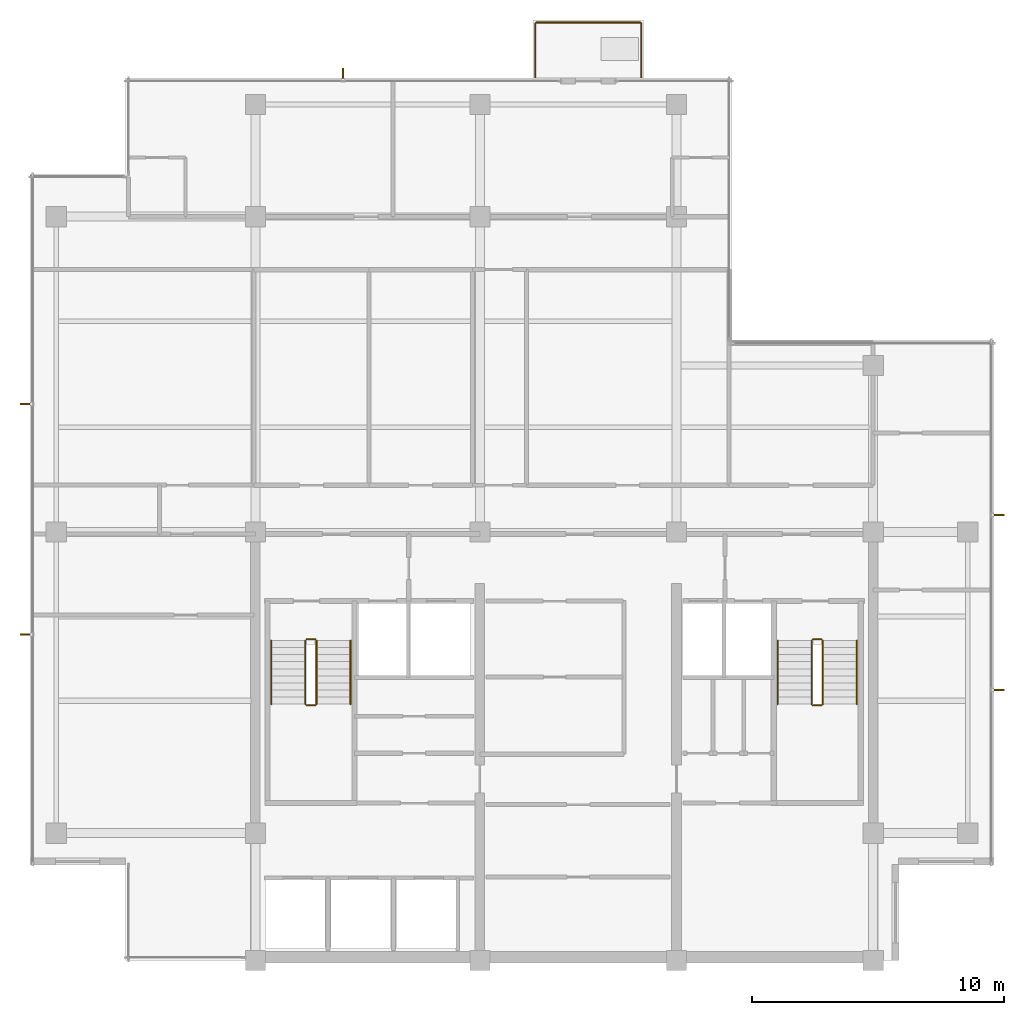
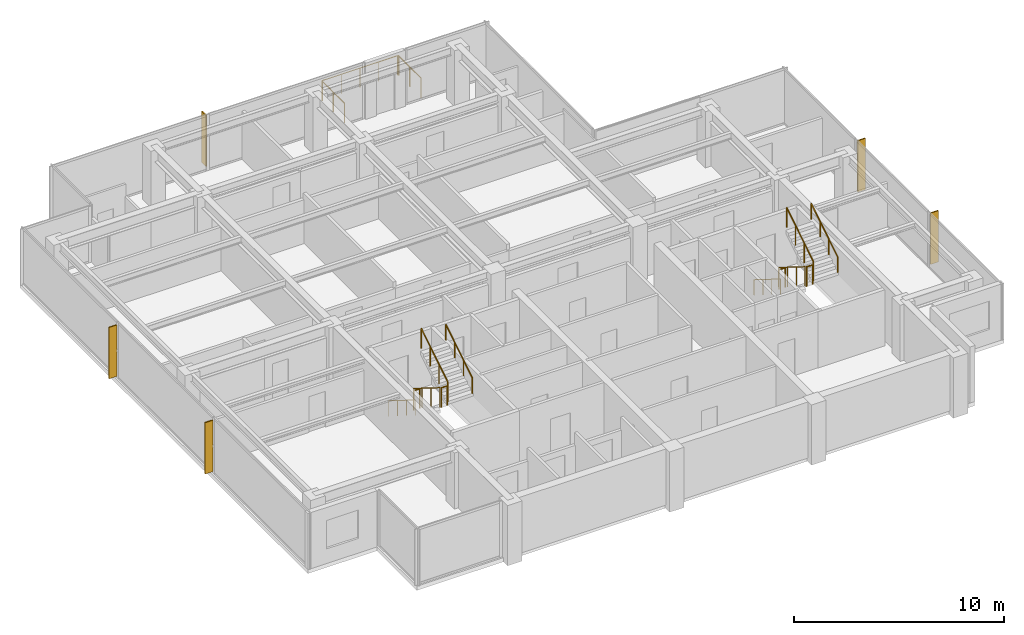
# One storey, part 11 of 11: 15 railings, 5 shading devices.
"""IFC4 building model written with IfcOpenShell, lengths in metres."""

from ifc_helpers import new_model, si_unit, direction, frame, origin, origin_2d, place, context, subcontext, project, spatial, polyline, circle, outline, extrude, material, layer, layer_set, type_object, element, save


model = new_model("IFC4")

# Units and contexts
model_context = context("Model", 3, precision=1e-05, world=origin(), true_north=direction((0.0, 1.0)))
body_context = subcontext(model_context, "Body", "Model", "MODEL_VIEW")
ifc_project = project(units=[si_unit("LENGTHUNIT", "METRE"), si_unit("AREAUNIT", "SQUARE_METRE"), si_unit("VOLUMEUNIT", "CUBIC_METRE"), si_unit("PLANEANGLEUNIT", "RADIAN"), si_unit("MASSUNIT", "GRAM", prefix="KILO")], contexts=[model_context])

# Site, building, storey
site_placement = place(None, origin())
site = spatial("IfcSite", under=ifc_project, at=site_placement, CompositionType="ELEMENT")
building_placement = place(site_placement, origin())
building = spatial("IfcBuilding", under=site, at=building_placement, Name="Qalmaran Belvedere Hotel", CompositionType="ELEMENT")
storey_placement = place(building_placement, frame((0.0, 0.0, 277.39990234375)))
storey = spatial("IfcBuildingStorey", under=building, at=storey_placement, Name="L72", CompositionType="ELEMENT", Elevation=277.39990234375)

# Shading devices
ifc_material_1 = material(Name="Anodised Bronze Aluminium", Category="aluminium")
ifc_layer = layer(ifc_material_1, 0.06494140625, Name="Anodised Bronze Aluminium")
ifc_layer_set = layer_set([ifc_layer], Name="Anodised Bronze Aluminium")
shading_device_type = type_object("IfcShadingDeviceType", Name="FIN-BRNZ-420", PredefinedType="USERDEFINED", material=ifc_layer_set)
shading_device_1_placement = place(storey_placement, frame((0.0, 0.0, 0.16015625)))
element("IfcShadingDevice", 1, at=shading_device_1_placement, inside=storey, type_object=shading_device_type, Name="L72 Bronze Fin 1", ObjectType="FIN", PredefinedType="USERDEFINED", context=body_context, shape_type="SweptSolid", body=[
    extrude(outline(polyline([(49.5673828125, 14.20068359375), (49.987548828125, 14.20068359375), (49.987548828125, 14.265869140625), (49.5673828125, 14.265869140625), (49.5673828125, 14.20068359375)])), origin(), (0.0, 0.0, 1.0), 2.97998046875),
])
shading_device_2_placement = place(storey_placement, frame((0.0, 0.0, 0.16015625)))
element("IfcShadingDevice", 2, at=shading_device_2_placement, inside=storey, type_object=shading_device_type, Name="L72 Bronze Fin 2", ObjectType="FIN", PredefinedType="USERDEFINED", context=body_context, shape_type="SweptSolid", body=[
    extrude(outline(polyline([(49.5673828125, 21.13427734375), (49.987548828125, 21.13427734375), (49.987548828125, 21.19921875), (49.5673828125, 21.19921875), (49.5673828125, 21.13427734375)])), origin(), (0.0, 0.0, 1.0), 2.97998046875),
])
shading_device_3_placement = place(storey_placement, frame((0.0, 0.0, 0.16015625)))
element("IfcShadingDevice", 3, at=shading_device_3_placement, inside=storey, type_object=shading_device_type, Name="L72 Bronze Fin 1", ObjectType="FIN", PredefinedType="USERDEFINED", context=body_context, shape_type="SweptSolid", body=[
    extrude(outline(polyline([(23.8076171875, 38.467529296875), (23.8076171875, 38.887451171875), (23.742431640625, 38.887451171875), (23.742431640625, 38.467529296875), (23.8076171875, 38.467529296875)])), origin(), (0.0, 0.0, 1.0), 2.97998046875),
])
shading_device_4_placement = place(storey_placement, frame((0.0, 0.0, 0.16015625)))
element("IfcShadingDevice", 4, at=shading_device_4_placement, inside=storey, type_object=shading_device_type, Name="L72 Bronze Fin 1", ObjectType="FIN", PredefinedType="USERDEFINED", context=body_context, shape_type="SweptSolid", body=[
    extrude(outline(polyline([(11.382568359375, 25.59912109375), (10.96240234375, 25.59912109375), (10.96240234375, 25.5341796875), (11.382568359375, 25.5341796875), (11.382568359375, 25.59912109375)])), origin(), (0.0, 0.0, 1.0), 2.97998046875),
])
shading_device_5_placement = place(storey_placement, frame((0.0, 0.0, 0.16015625)))
element("IfcShadingDevice", 5, at=shading_device_5_placement, inside=storey, type_object=shading_device_type, Name="L72 Bronze Fin 2", ObjectType="FIN", PredefinedType="USERDEFINED", context=body_context, shape_type="SweptSolid", body=[
    extrude(outline(polyline([(11.382568359375, 16.4658203125), (10.96240234375, 16.4658203125), (10.96240234375, 16.40087890625), (11.382568359375, 16.40087890625), (11.382568359375, 16.4658203125)])), origin(), (0.0, 0.0, 1.0), 2.97998046875),
])

# Railings
railing_type_1 = type_object("IfcRailingType", Name="GRD-BAL-1150", PredefinedType="BALUSTRADE", material=ifc_material_1)
railing_1_placement = place(storey_placement, frame((31.39990234375, 38.534912109375, 0.0)))
element("IfcRailing", 6, at=railing_1_placement, inside=storey, type_object=railing_type_1, Name="L72 Guardrail BAL-L72-N-1", PredefinedType="BALUSTRADE", context=body_context, shape_type="SweptSolid", body=[
    extrude(circle(Radius=0.02392578125, at=origin_2d()), frame((0.0, 0.0, 1.1259765625), z_axis=(0.0, 1.0, 0.0), x_axis=(-1.0, 0.0, 0.0)), (0.0, 0.0, 1.0), 2.130126953125),
    extrude(circle(Radius=0.02099609375, at=origin_2d()), origin(), (0.0, 0.0, 1.0), 1.101806640625),
    extrude(circle(Radius=0.02099609375, at=origin_2d()), frame((0.0, 1.06494140625, 0.0)), (0.0, 0.0, 1.0), 1.101806640625),
    extrude(circle(Radius=0.02099609375, at=origin_2d()), frame((0.0, 2.130126953125, 0.0)), (0.0, 0.0, 1.0), 1.101806640625),
])
railing_2_placement = place(storey_placement, frame((31.43505859375, 40.699951171875, 0.0)))
element("IfcRailing", 7, at=railing_2_placement, inside=storey, type_object=railing_type_1, Name="L72 Guardrail BAL-L72-N-2", PredefinedType="BALUSTRADE", context=body_context, shape_type="SweptSolid", body=[
    extrude(circle(Radius=0.02392578125, at=origin_2d()), frame((0.0, 0.0, 1.1259765625), z_axis=(1.0, 0.0, 0.0), x_axis=(0.0, 1.0, 0.0)), (0.0, 0.0, 1.0), 4.1298828125),
    extrude(circle(Radius=0.02099609375, at=origin_2d()), origin(), (0.0, 0.0, 1.0), 1.101806640625),
    extrude(circle(Radius=0.02099609375, at=origin_2d()), frame((1.032470703125, 0.0, 0.0)), (0.0, 0.0, 1.0), 1.101806640625),
    extrude(circle(Radius=0.02099609375, at=origin_2d()), frame((2.06494140625, 0.0, 0.0)), (0.0, 0.0, 1.0), 1.101806640625),
    extrude(circle(Radius=0.02099609375, at=origin_2d()), frame((3.097412109375, 0.0, 0.0)), (0.0, 0.0, 1.0), 1.101806640625),
    extrude(circle(Radius=0.02099609375, at=origin_2d()), frame((4.1298828125, 0.0, 0.0)), (0.0, 0.0, 1.0), 1.101806640625),
])
railing_3_placement = place(storey_placement, frame((35.60009765625, 40.6650390625, 0.0)))
element("IfcRailing", 8, at=railing_3_placement, inside=storey, type_object=railing_type_1, Name="L72 Guardrail BAL-L72-N-3", PredefinedType="BALUSTRADE", context=body_context, shape_type="SweptSolid", body=[
    extrude(circle(Radius=0.02392578125, at=origin_2d()), frame((0.0, 0.0, 1.1259765625), z_axis=(0.0, -1.0, 0.0), x_axis=(1.0, 0.0, 0.0)), (0.0, 0.0, 1.0), 2.130126953125),
    extrude(circle(Radius=0.02099609375, at=origin_2d()), origin(), (0.0, 0.0, 1.0), 1.101806640625),
    extrude(circle(Radius=0.02099609375, at=origin_2d()), frame((0.0, -1.06494140625, 0.0)), (0.0, 0.0, 1.0), 1.101806640625),
    extrude(circle(Radius=0.02099609375, at=origin_2d()), frame((0.0, -2.130126953125, 0.0)), (0.0, 0.0, 1.0), 1.101806640625),
])
ifc_material_2 = material(Name="Stainless Steel 1.4401", Category="steel")
railing_type_2 = type_object("IfcRailingType", Name="RLG-STAIR-GUARD-1150", PredefinedType="GUARDRAIL", material=ifc_material_2)
railing_4_placement = place(storey_placement, frame((22.280029296875, 16.18994140625, 0.175048828125)))
element("IfcRailing", 9, at=railing_4_placement, inside=storey, type_object=railing_type_2, Name="L72 ST-1 stair guard 1", PredefinedType="GUARDRAIL", context=body_context, shape_type="SweptSolid", body=[
    extrude(circle(Radius=0.02392578125, at=origin_2d()), frame((0.0, 0.0, 1.1259765625), z_axis=(0.0, -0.848007534815, 0.529984170421), x_axis=(1.0, 0.0, 0.0)), (0.0, 0.0, 1.0), 2.9716796875),
    extrude(circle(Radius=0.02099609375, at=origin_2d()), origin(), (0.0, 0.0, 1.0), 1.101806640625),
    extrude(circle(Radius=0.02099609375, at=origin_2d()), frame((0.0, -0.840087890625, 0.52490234375)), (0.0, 0.0, 1.0), 1.101806640625),
    extrude(circle(Radius=0.02099609375, at=origin_2d()), frame((0.0, -1.679931640625, 1.050048828125)), (0.0, 0.0, 1.0), 1.101806640625),
    extrude(circle(Radius=0.02099609375, at=origin_2d()), frame((0.0, -2.52001953125, 1.574951171875)), (0.0, 0.0, 1.0), 1.101806640625),
])
railing_5_placement = place(storey_placement, frame((22.330078125, 13.6201171875, 1.75)))
element("IfcRailing", 10, at=railing_5_placement, inside=storey, type_object=railing_type_2, Name="L72 ST-1 stair guard 2", PredefinedType="GUARDRAIL", context=body_context, shape_type="SweptSolid", body=[
    extrude(circle(Radius=0.02392578125, at=origin_2d()), frame((0.0, 0.0, 1.1259765625), z_axis=(1.0, 0.0, 0.0), x_axis=(0.0, 1.0, 0.0)), (0.0, 0.0, 1.0), 0.33984375),
    extrude(circle(Radius=0.02099609375, at=origin_2d()), origin(), (0.0, 0.0, 1.0), 1.101806640625),
    extrude(circle(Radius=0.02099609375, at=origin_2d()), frame((0.33984375, 0.0, 0.0)), (0.0, 0.0, 1.0), 1.101806640625),
])
railing_6_placement = place(storey_placement, frame((22.719970703125, 13.669921875, 1.925048828125)))
element("IfcRailing", 11, at=railing_6_placement, inside=storey, type_object=railing_type_2, Name="L72 ST-1 stair guard 3", PredefinedType="GUARDRAIL", context=body_context, shape_type="SweptSolid", body=[
    extrude(circle(Radius=0.02392578125, at=origin_2d()), frame((0.0, 0.0, 1.1259765625), z_axis=(0.0, 0.848007534815, 0.529984170421), x_axis=(-1.0, 0.0, 0.0)), (0.0, 0.0, 1.0), 2.9716796875),
    extrude(circle(Radius=0.02099609375, at=origin_2d()), origin(), (0.0, 0.0, 1.0), 1.101806640625),
    extrude(circle(Radius=0.02099609375, at=origin_2d()), frame((0.0, 0.840087890625, 0.52490234375)), (0.0, 0.0, 1.0), 1.101806640625),
    extrude(circle(Radius=0.02099609375, at=origin_2d()), frame((0.0, 1.679931640625, 1.050048828125)), (0.0, 0.0, 1.0), 1.101806640625),
    extrude(circle(Radius=0.02099609375, at=origin_2d()), frame((0.0, 2.52001953125, 1.574951171875)), (0.0, 0.0, 1.0), 1.101806640625),
])
railing_7_placement = place(storey_placement, frame((22.330078125, 16.239990234375, 0.0)))
element("IfcRailing", 12, at=railing_7_placement, inside=storey, type_object=railing_type_2, Name="L72 ST-1 stair guard 4", PredefinedType="GUARDRAIL", context=body_context, shape_type="SweptSolid", body=[
    extrude(circle(Radius=0.02392578125, at=origin_2d()), frame((0.0, 0.0, 1.1259765625), z_axis=(1.0, 0.0, 0.0), x_axis=(0.0, 1.0, 0.0)), (0.0, 0.0, 1.0), 0.33984375),
    extrude(circle(Radius=0.02099609375, at=origin_2d()), origin(), (0.0, 0.0, 1.0), 1.101806640625),
    extrude(circle(Radius=0.02099609375, at=origin_2d()), frame((0.33984375, 0.0, 0.0)), (0.0, 0.0, 1.0), 1.101806640625),
])
railing_8_placement = place(storey_placement, frame((42.360107421875, 16.18994140625, 0.175048828125)))
element("IfcRailing", 13, at=railing_8_placement, inside=storey, type_object=railing_type_2, Name="L72 ST-2 stair guard 1", PredefinedType="GUARDRAIL", context=body_context, shape_type="SweptSolid", body=[
    extrude(circle(Radius=0.02392578125, at=origin_2d()), frame((0.0, 0.0, 1.1259765625), z_axis=(0.0, -0.848007534815, 0.529984170421), x_axis=(1.0, 0.0, 0.0)), (0.0, 0.0, 1.0), 2.9716796875),
    extrude(circle(Radius=0.02099609375, at=origin_2d()), origin(), (0.0, 0.0, 1.0), 1.101806640625),
    extrude(circle(Radius=0.02099609375, at=origin_2d()), frame((0.0, -0.840087890625, 0.52490234375)), (0.0, 0.0, 1.0), 1.101806640625),
    extrude(circle(Radius=0.02099609375, at=origin_2d()), frame((0.0, -1.679931640625, 1.050048828125)), (0.0, 0.0, 1.0), 1.101806640625),
    extrude(circle(Radius=0.02099609375, at=origin_2d()), frame((0.0, -2.52001953125, 1.574951171875)), (0.0, 0.0, 1.0), 1.101806640625),
])
railing_9_placement = place(storey_placement, frame((42.409912109375, 13.6201171875, 1.75)))
element("IfcRailing", 14, at=railing_9_placement, inside=storey, type_object=railing_type_2, Name="L72 ST-2 stair guard 2", PredefinedType="GUARDRAIL", context=body_context, shape_type="SweptSolid", body=[
    extrude(circle(Radius=0.02392578125, at=origin_2d()), frame((0.0, 0.0, 1.1259765625), z_axis=(1.0, 0.0, 0.0), x_axis=(0.0, 1.0, 0.0)), (0.0, 0.0, 1.0), 0.340087890625),
    extrude(circle(Radius=0.02099609375, at=origin_2d()), origin(), (0.0, 0.0, 1.0), 1.101806640625),
    extrude(circle(Radius=0.02099609375, at=origin_2d()), frame((0.340087890625, 0.0, 0.0)), (0.0, 0.0, 1.0), 1.101806640625),
])
railing_10_placement = place(storey_placement, frame((42.800048828125, 13.669921875, 1.925048828125)))
element("IfcRailing", 15, at=railing_10_placement, inside=storey, type_object=railing_type_2, Name="L72 ST-2 stair guard 3", PredefinedType="GUARDRAIL", context=body_context, shape_type="SweptSolid", body=[
    extrude(circle(Radius=0.02392578125, at=origin_2d()), frame((0.0, 0.0, 1.1259765625), z_axis=(0.0, 0.848007534815, 0.529984170421), x_axis=(-1.0, 0.0, 0.0)), (0.0, 0.0, 1.0), 2.9716796875),
    extrude(circle(Radius=0.02099609375, at=origin_2d()), origin(), (0.0, 0.0, 1.0), 1.101806640625),
    extrude(circle(Radius=0.02099609375, at=origin_2d()), frame((0.0, 0.840087890625, 0.52490234375)), (0.0, 0.0, 1.0), 1.101806640625),
    extrude(circle(Radius=0.02099609375, at=origin_2d()), frame((0.0, 1.679931640625, 1.050048828125)), (0.0, 0.0, 1.0), 1.101806640625),
    extrude(circle(Radius=0.02099609375, at=origin_2d()), frame((0.0, 2.52001953125, 1.574951171875)), (0.0, 0.0, 1.0), 1.101806640625),
])
railing_11_placement = place(storey_placement, frame((42.409912109375, 16.239990234375, 0.0)))
element("IfcRailing", 16, at=railing_11_placement, inside=storey, type_object=railing_type_2, Name="L72 ST-2 stair guard 4", PredefinedType="GUARDRAIL", context=body_context, shape_type="SweptSolid", body=[
    extrude(circle(Radius=0.02392578125, at=origin_2d()), frame((0.0, 0.0, 1.1259765625), z_axis=(1.0, 0.0, 0.0), x_axis=(0.0, 1.0, 0.0)), (0.0, 0.0, 1.0), 0.340087890625),
    extrude(circle(Radius=0.02099609375, at=origin_2d()), origin(), (0.0, 0.0, 1.0), 1.101806640625),
    extrude(circle(Radius=0.02099609375, at=origin_2d()), frame((0.340087890625, 0.0, 0.0)), (0.0, 0.0, 1.0), 1.101806640625),
])
railing_type_3 = type_object("IfcRailingType", Name="RLG-STAIR-HAND-910", PredefinedType="HANDRAIL", material=ifc_material_2)
railing_12_placement = place(storey_placement, frame((20.929931640625, 16.18994140625, 0.175048828125)))
element("IfcRailing", 17, at=railing_12_placement, inside=storey, type_object=railing_type_3, Name="L72 ST-1 stair handrail 1", PredefinedType="HANDRAIL", context=body_context, shape_type="SweptSolid", body=[
    extrude(circle(Radius=0.02392578125, at=origin_2d()), frame((0.0, 0.0, 0.8857421875), z_axis=(0.0, -0.848007534815, 0.529984170421), x_axis=(1.0, 0.0, 0.0)), (0.0, 0.0, 1.0), 2.9716796875),
    extrude(circle(Radius=0.02099609375, at=origin_2d()), origin(), (0.0, 0.0, 1.0), 0.86181640625),
    extrude(circle(Radius=0.02099609375, at=origin_2d()), frame((0.0, -0.840087890625, 0.52490234375)), (0.0, 0.0, 1.0), 0.86181640625),
    extrude(circle(Radius=0.02099609375, at=origin_2d()), frame((0.0, -1.679931640625, 1.050048828125)), (0.0, 0.0, 1.0), 0.86181640625),
    extrude(circle(Radius=0.02099609375, at=origin_2d()), frame((0.0, -2.52001953125, 1.574951171875)), (0.0, 0.0, 1.0), 0.86181640625),
])
railing_13_placement = place(storey_placement, frame((24.070068359375, 13.669921875, 1.925048828125)))
element("IfcRailing", 18, at=railing_13_placement, inside=storey, type_object=railing_type_3, Name="L72 ST-1 stair handrail 2", PredefinedType="HANDRAIL", context=body_context, shape_type="SweptSolid", body=[
    extrude(circle(Radius=0.02392578125, at=origin_2d()), frame((0.0, 0.0, 0.8857421875), z_axis=(0.0, 0.848007534815, 0.529984170421), x_axis=(-1.0, 0.0, 0.0)), (0.0, 0.0, 1.0), 2.9716796875),
    extrude(circle(Radius=0.02099609375, at=origin_2d()), origin(), (0.0, 0.0, 1.0), 0.86181640625),
    extrude(circle(Radius=0.02099609375, at=origin_2d()), frame((0.0, 0.840087890625, 0.52490234375)), (0.0, 0.0, 1.0), 0.86181640625),
    extrude(circle(Radius=0.02099609375, at=origin_2d()), frame((0.0, 1.679931640625, 1.050048828125)), (0.0, 0.0, 1.0), 0.86181640625),
    extrude(circle(Radius=0.02099609375, at=origin_2d()), frame((0.0, 2.52001953125, 1.574951171875)), (0.0, 0.0, 1.0), 0.86181640625),
])
railing_14_placement = place(storey_placement, frame((41.010009765625, 16.18994140625, 0.175048828125)))
element("IfcRailing", 19, at=railing_14_placement, inside=storey, type_object=railing_type_3, Name="L72 ST-2 stair handrail 1", PredefinedType="HANDRAIL", context=body_context, shape_type="SweptSolid", body=[
    extrude(circle(Radius=0.02392578125, at=origin_2d()), frame((0.0, 0.0, 0.8857421875), z_axis=(0.0, -0.848007534815, 0.529984170421), x_axis=(1.0, 0.0, 0.0)), (0.0, 0.0, 1.0), 2.9716796875),
    extrude(circle(Radius=0.02099609375, at=origin_2d()), origin(), (0.0, 0.0, 1.0), 0.86181640625),
    extrude(circle(Radius=0.02099609375, at=origin_2d()), frame((0.0, -0.840087890625, 0.52490234375)), (0.0, 0.0, 1.0), 0.86181640625),
    extrude(circle(Radius=0.02099609375, at=origin_2d()), frame((0.0, -1.679931640625, 1.050048828125)), (0.0, 0.0, 1.0), 0.86181640625),
    extrude(circle(Radius=0.02099609375, at=origin_2d()), frame((0.0, -2.52001953125, 1.574951171875)), (0.0, 0.0, 1.0), 0.86181640625),
])
railing_15_placement = place(storey_placement, frame((44.14990234375, 13.669921875, 1.925048828125)))
element("IfcRailing", 20, at=railing_15_placement, inside=storey, type_object=railing_type_3, Name="L72 ST-2 stair handrail 2", PredefinedType="HANDRAIL", context=body_context, shape_type="SweptSolid", body=[
    extrude(circle(Radius=0.02392578125, at=origin_2d()), frame((0.0, 0.0, 0.8857421875), z_axis=(0.0, 0.848007534815, 0.529984170421), x_axis=(-1.0, 0.0, 0.0)), (0.0, 0.0, 1.0), 2.9716796875),
    extrude(circle(Radius=0.02099609375, at=origin_2d()), origin(), (0.0, 0.0, 1.0), 0.86181640625),
    extrude(circle(Radius=0.02099609375, at=origin_2d()), frame((0.0, 0.840087890625, 0.52490234375)), (0.0, 0.0, 1.0), 0.86181640625),
    extrude(circle(Radius=0.02099609375, at=origin_2d()), frame((0.0, 1.679931640625, 1.050048828125)), (0.0, 0.0, 1.0), 0.86181640625),
    extrude(circle(Radius=0.02099609375, at=origin_2d()), frame((0.0, 2.52001953125, 1.574951171875)), (0.0, 0.0, 1.0), 0.86181640625),
])

save(model, "model.ifc")
